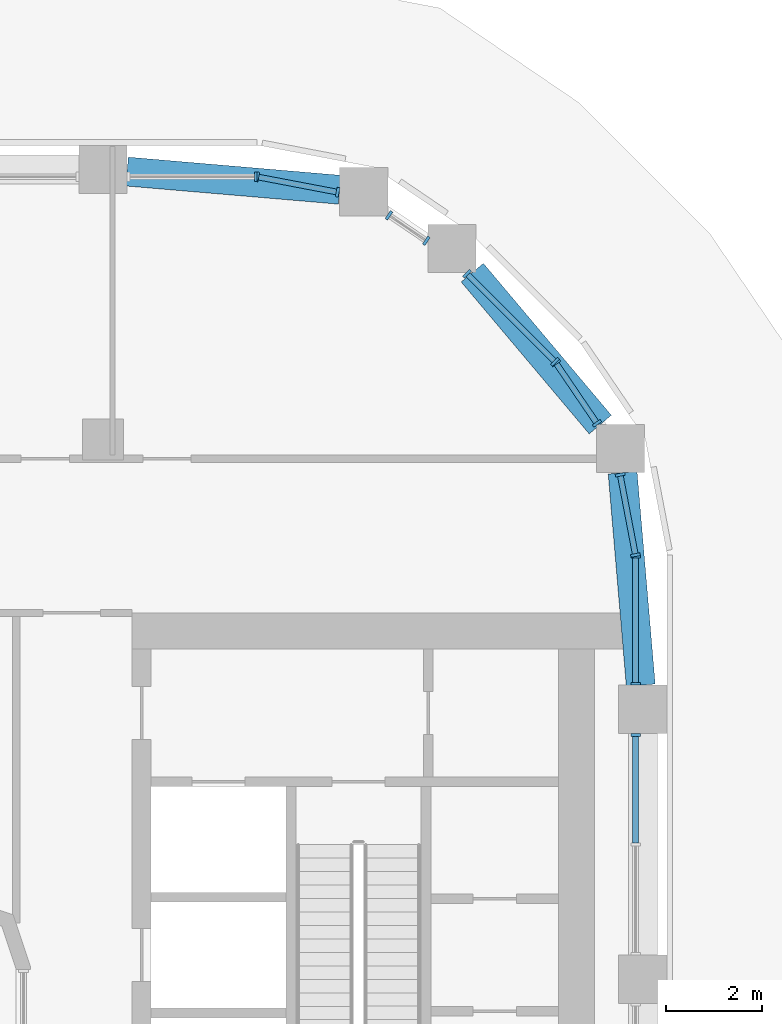
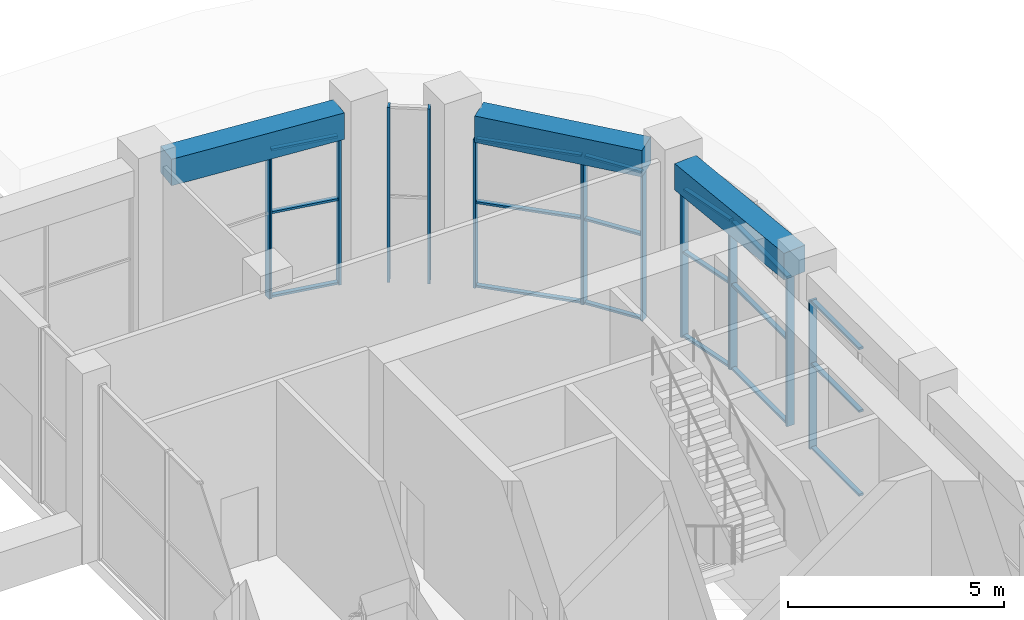
# One storey, part 10 of 28: 32 members, 3 beams, 8 elements without a shape of their own.
"""IFC4 building model written with IfcOpenShell, lengths in metres."""

from ifc_helpers import new_model, si_unit, direction, frame, origin, origin_2d, place, context, subcontext, project, spatial, rectangle, extrude, material, layer, layer_set, material_profile, profile_set, type_object, element, aggregate, save


model = new_model("IFC4")

# Units and contexts
model_context = context("Model", 3, precision=1e-05, world=origin(), true_north=direction((0.0, 1.0)))
body_context = subcontext(model_context, "Body", "Model", "MODEL_VIEW")
ifc_project = project(units=[si_unit("LENGTHUNIT", "METRE"), si_unit("AREAUNIT", "SQUARE_METRE"), si_unit("VOLUMEUNIT", "CUBIC_METRE"), si_unit("PLANEANGLEUNIT", "RADIAN"), si_unit("MASSUNIT", "GRAM", prefix="KILO")], contexts=[model_context])

# Site, building, storey
site_placement = place(None, origin())
site = spatial("IfcSite", under=ifc_project, at=site_placement, CompositionType="ELEMENT")
building_placement = place(site_placement, origin())
building = spatial("IfcBuilding", under=site, at=building_placement, Name="Kiln Ring Residences", CompositionType="ELEMENT")
storey_placement = place(building_placement, frame((0.0, 0.0, 178.10009765625)))
storey = spatial("IfcBuildingStorey", under=building, at=storey_placement, Name="L46", CompositionType="ELEMENT", Elevation=178.10009765625)

# Curtain wall, member
ifc_material_1 = material(Name="Aluminium and glass", Category="aluminium")
ifc_layer = layer(ifc_material_1, 0.199951171875)
ifc_layer_set = layer_set([ifc_layer], Name="CW1 CURTAIN WALL")
curtain_wall_type = type_object("IfcCurtainWallType", Name="CW1 CURTAIN WALL", PredefinedType="NOTDEFINED", material=ifc_layer_set)
placement = place(storey_placement, origin())
curtain_wall_1 = element("IfcCurtainWall", 1, at=placement, inside=storey, type_object=curtain_wall_type, Name="Curtain wall CW1 L46", PredefinedType="NOTDEFINED")
ifc_material_2 = material(Name="Aluminium 6063-T6", Category="aluminium")
ifc_material_profile_1 = material_profile(ifc_material_2, rectangle(XDim=0.199951171875, YDim=0.06005859375, at=origin_2d()), Name="AL 200x60")
ifc_profile_set_1 = profile_set([ifc_material_profile_1], Name="Aluminium 6063-T6")
member_type_1 = type_object("IfcMemberType", Name="CW1 MULLION 200 x 60", PredefinedType="MULLION", material=ifc_profile_set_1)
member_1_placement = place(storey_placement, frame((27.85009765625, 10.669921875, 0.0), z_axis=(0.0, 0.0, 1.0), x_axis=(-1.0, 0.0, 0.0)))
member_1 = element("IfcMember", 2, at=member_1_placement, type_object=member_type_1, Name="CW1 mullion 3", PredefinedType="MULLION", context=body_context, shape_type="SweptSolid", body=[
    extrude(rectangle(XDim=0.199951171875, YDim=0.06005859375, at=origin_2d()), origin(), (0.0, 0.0, 1.0), 4.199951171875),
])

# Curtain wall, members
curtain_wall_2 = element("IfcCurtainWall", 3, at=placement, inside=storey, type_object=curtain_wall_type, Name="Curtain wall CW1 L46", PredefinedType="NOTDEFINED")
member_2_placement = place(storey_placement, frame((27.85009765625, 11.72998046875, 0.0), z_axis=(0.0, 0.0, 1.0), x_axis=(-1.0, 0.0, 0.0)))
member_2 = element("IfcMember", 4, at=member_2_placement, type_object=member_type_1, Name="CW1 mullion 1", PredefinedType="MULLION", context=body_context, shape_type="SweptSolid", body=[
    extrude(rectangle(XDim=0.199951171875, YDim=0.06005859375, at=origin_2d()), origin(), (0.0, 0.0, 1.0), 4.199951171875),
])
member_3_placement = place(storey_placement, frame((27.85009765625, 14.3701171875, 0.0), z_axis=(0.0, 0.0, 1.0), x_axis=(-1.0, 0.0, 0.0)))
member_3 = element("IfcMember", 5, at=member_3_placement, type_object=member_type_1, Name="CW1 mullion 2", PredefinedType="MULLION", context=body_context, shape_type="SweptSolid", body=[
    extrude(rectangle(XDim=0.199951171875, YDim=0.06005859375, at=origin_2d()), origin(), (0.0, 0.0, 1.0), 4.199951171875),
])

curtain_wall_3 = element("IfcCurtainWall", 6, at=placement, inside=storey, type_object=curtain_wall_type, Name="Curtain wall CW1 L46", PredefinedType="NOTDEFINED")
member_4_placement = place(storey_placement, frame((27.846923828125, 14.4013671875, 0.0), z_axis=(0.0, 0.0, 1.0), x_axis=(-0.98229025781, -0.187365550227, 0.0)))
member_4 = element("IfcMember", 7, at=member_4_placement, type_object=member_type_1, Name="CW1 mullion 1", PredefinedType="MULLION", context=body_context, shape_type="SweptSolid", body=[
    extrude(rectangle(XDim=0.199951171875, YDim=0.06005859375, at=origin_2d()), origin(), (0.0, 0.0, 1.0), 4.199951171875),
])
member_5_placement = place(storey_placement, frame((27.529296875, 16.0673828125, 0.0), z_axis=(0.0, 0.0, 1.0), x_axis=(-0.98229025781, -0.187365550227, 0.0)))
member_5 = element("IfcMember", 8, at=member_5_placement, type_object=member_type_1, Name="CW1 mullion 2", PredefinedType="MULLION", context=body_context, shape_type="SweptSolid", body=[
    extrude(rectangle(XDim=0.199951171875, YDim=0.06005859375, at=origin_2d()), origin(), (0.0, 0.0, 1.0), 4.199951171875),
])

curtain_wall_4 = element("IfcCurtainWall", 9, at=placement, inside=storey, type_object=curtain_wall_type, Name="Curtain wall CW1 L46", PredefinedType="NOTDEFINED")
member_6_placement = place(storey_placement, frame((27.04833984375, 17.133544921875, 0.0), z_axis=(0.0, 0.0, 1.0), x_axis=(-0.827071553399, -0.562096651438, 0.0)))
member_6 = element("IfcMember", 10, at=member_6_placement, type_object=member_type_1, Name="CW1 mullion 1", PredefinedType="MULLION", context=body_context, shape_type="SweptSolid", body=[
    extrude(rectangle(XDim=0.199951171875, YDim=0.06005859375, at=origin_2d()), origin(), (0.0, 0.0, 1.0), 4.199951171875),
])
member_7_placement = place(storey_placement, frame((26.19580078125, 18.387939453125, 0.0), z_axis=(0.0, 0.0, 1.0), x_axis=(-0.827071553399, -0.562096651438, 0.0)))
member_7 = element("IfcMember", 11, at=member_7_placement, type_object=member_type_1, Name="CW1 mullion 2", PredefinedType="MULLION", context=body_context, shape_type="SweptSolid", body=[
    extrude(rectangle(XDim=0.199951171875, YDim=0.06005859375, at=origin_2d()), origin(), (0.0, 0.0, 1.0), 4.199951171875),
])

curtain_wall_5 = element("IfcCurtainWall", 12, at=placement, inside=storey, type_object=curtain_wall_type, Name="Curtain wall CW1 L46", PredefinedType="NOTDEFINED")
member_8_placement = place(storey_placement, frame((26.17578125, 18.412109375, 0.0), z_axis=(0.0, 0.0, 1.0), x_axis=(-0.707106781187, -0.707106781187, 0.0)))
member_8 = element("IfcMember", 13, at=member_8_placement, type_object=member_type_1, Name="CW1 mullion 1", PredefinedType="MULLION", context=body_context, shape_type="SweptSolid", body=[
    extrude(rectangle(XDim=0.199951171875, YDim=0.06005859375, at=origin_2d()), origin(), (0.0, 0.0, 1.0), 4.199951171875),
])
member_9_placement = place(storey_placement, frame((24.349365234375, 20.238525390625, 0.0), z_axis=(0.0, 0.0, 1.0), x_axis=(-0.707106781187, -0.707106781187, 0.0)))
member_9 = element("IfcMember", 14, at=member_9_placement, type_object=member_type_1, Name="CW1 mullion 2", PredefinedType="MULLION", context=body_context, shape_type="SweptSolid", body=[
    extrude(rectangle(XDim=0.199951171875, YDim=0.06005859375, at=origin_2d()), origin(), (0.0, 0.0, 1.0), 4.199951171875),
])

curtain_wall_6 = element("IfcCurtainWall", 15, at=placement, inside=storey, type_object=curtain_wall_type, Name="Curtain wall CW1 L46", PredefinedType="NOTDEFINED")
member_10_placement = place(storey_placement, frame((23.509033203125, 20.921142578125, 0.0), z_axis=(0.0, 0.0, 1.0), x_axis=(-0.562096651423, -0.827071553409, 0.0)))
member_10 = element("IfcMember", 16, at=member_10_placement, type_object=member_type_1, Name="CW1 mullion 1", PredefinedType="MULLION", context=body_context, shape_type="SweptSolid", body=[
    extrude(rectangle(XDim=0.199951171875, YDim=0.06005859375, at=origin_2d()), origin(), (0.0, 0.0, 1.0), 4.949951171875),
])
member_11_placement = place(storey_placement, frame((22.7333984375, 21.4482421875, 0.0), z_axis=(0.0, 0.0, 1.0), x_axis=(-0.562096651423, -0.827071553409, 0.0)))
member_11 = element("IfcMember", 17, at=member_11_placement, type_object=member_type_1, Name="CW1 mullion 2", PredefinedType="MULLION", context=body_context, shape_type="SweptSolid", body=[
    extrude(rectangle(XDim=0.199951171875, YDim=0.06005859375, at=origin_2d()), origin(), (0.0, 0.0, 1.0), 4.949951171875),
])
aggregate(curtain_wall_6, [member_10, member_11])

curtain_wall_7 = element("IfcCurtainWall", 18, at=placement, inside=storey, type_object=curtain_wall_type, Name="Curtain wall CW1 L46", PredefinedType="NOTDEFINED")
member_12_placement = place(storey_placement, frame((21.66748046875, 21.92919921875, 0.0), z_axis=(0.0, 0.0, 1.0), x_axis=(-0.187365550227, -0.98229025781, 0.0)))
member_12 = element("IfcMember", 19, at=member_12_placement, type_object=member_type_1, Name="CW1 mullion 1", PredefinedType="MULLION", context=body_context, shape_type="SweptSolid", body=[
    extrude(rectangle(XDim=0.199951171875, YDim=0.06005859375, at=origin_2d()), origin(), (0.0, 0.0, 1.0), 4.199951171875),
])
member_13_placement = place(storey_placement, frame((20.00146484375, 22.2470703125, 0.0), z_axis=(0.0, 0.0, 1.0), x_axis=(-0.187365550227, -0.98229025781, 0.0)))
member_13 = element("IfcMember", 20, at=member_13_placement, type_object=member_type_1, Name="CW1 mullion 2", PredefinedType="MULLION", context=body_context, shape_type="SweptSolid", body=[
    extrude(rectangle(XDim=0.199951171875, YDim=0.06005859375, at=origin_2d()), origin(), (0.0, 0.0, 1.0), 4.199951171875),
])

# Curtain wall, member
curtain_wall_8 = element("IfcCurtainWall", 21, at=placement, inside=storey, type_object=curtain_wall_type, Name="Curtain wall CW1 L46", PredefinedType="NOTDEFINED")
member_14_placement = place(storey_placement, frame((19.969970703125, 22.25, 0.0), z_axis=(0.0, 0.0, 1.0), x_axis=(0.0, -1.0, 0.0)))
member_14 = element("IfcMember", 22, at=member_14_placement, type_object=member_type_1, Name="CW1 mullion 1", PredefinedType="MULLION", context=body_context, shape_type="SweptSolid", body=[
    extrude(rectangle(XDim=0.199951171875, YDim=0.06005859375, at=origin_2d()), origin(), (0.0, 0.0, 1.0), 4.199951171875),
])
aggregate(curtain_wall_8, [member_14])

# Member
ifc_material_3 = material(Name="Aluminium 6063-T6", Category="aluminium")
ifc_material_profile_2 = material_profile(ifc_material_3, rectangle(XDim=0.1201171875, YDim=0.06005859375, at=origin_2d()), Name="AL 120x60")
ifc_profile_set_2 = profile_set([ifc_material_profile_2], Name="Aluminium 6063-T6")
member_type_2 = type_object("IfcMemberType", Name="CW1 TRANSOM 120 x 60", PredefinedType="USERDEFINED", material=ifc_profile_set_2)
member_15_placement = place(storey_placement, frame((27.85009765625, 8.429931640625, 0.02978515625), z_axis=(0.0, 1.0, 0.0), x_axis=(-1.0, 0.0, 0.0)))
member_15 = element("IfcMember", 23, at=member_15_placement, type_object=member_type_2, Name="CW1 transom 2.1", ObjectType="TRANSOM", PredefinedType="USERDEFINED", context=body_context, shape_type="SweptSolid", body=[
    extrude(rectangle(XDim=0.1201171875, YDim=0.06005859375, at=origin_2d()), origin(), (0.0, 0.0, 1.0), 2.2099609375),
])

member_16_placement = place(storey_placement, frame((27.85009765625, 8.429931640625, 2.39990234375), z_axis=(0.0, 1.0, 0.0), x_axis=(-1.0, 0.0, 0.0)))
member_16 = element("IfcMember", 24, at=member_16_placement, type_object=member_type_2, Name="CW1 transom 2.2", ObjectType="TRANSOM", PredefinedType="USERDEFINED", context=body_context, shape_type="SweptSolid", body=[
    extrude(rectangle(XDim=0.1201171875, YDim=0.06005859375, at=origin_2d()), origin(), (0.0, 0.0, 1.0), 2.2099609375),
])

member_17_placement = place(storey_placement, frame((27.85009765625, 8.429931640625, 4.169921875), z_axis=(0.0, 1.0, 0.0), x_axis=(-1.0, 0.0, 0.0)))
member_17 = element("IfcMember", 25, at=member_17_placement, type_object=member_type_2, Name="CW1 transom 2.3", ObjectType="TRANSOM", PredefinedType="USERDEFINED", context=body_context, shape_type="SweptSolid", body=[
    extrude(rectangle(XDim=0.1201171875, YDim=0.06005859375, at=origin_2d()), origin(), (0.0, 0.0, 1.0), 2.2099609375),
])

aggregate(curtain_wall_1, [member_1, member_15, member_16, member_17])

member_18_placement = place(storey_placement, frame((27.85009765625, 11.760009765625, 0.02978515625), z_axis=(0.0, 1.0, 0.0), x_axis=(-1.0, 0.0, 0.0)))
member_18 = element("IfcMember", 26, at=member_18_placement, type_object=member_type_2, Name="CW1 transom 1.1", ObjectType="TRANSOM", PredefinedType="USERDEFINED", context=body_context, shape_type="SweptSolid", body=[
    extrude(rectangle(XDim=0.1201171875, YDim=0.06005859375, at=origin_2d()), origin(), (0.0, 0.0, 1.0), 2.580078125),
])

member_19_placement = place(storey_placement, frame((27.85009765625, 11.760009765625, 2.39990234375), z_axis=(0.0, 1.0, 0.0), x_axis=(-1.0, 0.0, 0.0)))
member_19 = element("IfcMember", 27, at=member_19_placement, type_object=member_type_2, Name="CW1 transom 1.2", ObjectType="TRANSOM", PredefinedType="USERDEFINED", context=body_context, shape_type="SweptSolid", body=[
    extrude(rectangle(XDim=0.1201171875, YDim=0.06005859375, at=origin_2d()), origin(), (0.0, 0.0, 1.0), 2.580078125),
])

member_20_placement = place(storey_placement, frame((27.85009765625, 11.760009765625, 4.169921875), z_axis=(0.0, 1.0, 0.0), x_axis=(-1.0, 0.0, 0.0)))
member_20 = element("IfcMember", 28, at=member_20_placement, type_object=member_type_2, Name="CW1 transom 1.3", ObjectType="TRANSOM", PredefinedType="USERDEFINED", context=body_context, shape_type="SweptSolid", body=[
    extrude(rectangle(XDim=0.1201171875, YDim=0.06005859375, at=origin_2d()), origin(), (0.0, 0.0, 1.0), 2.580078125),
])

aggregate(curtain_wall_2, [member_2, member_3, member_18, member_19, member_20])

member_21_placement = place(storey_placement, frame((27.84130859375, 14.430908203125, 0.02978515625), z_axis=(-0.187269813936, 0.982308514057, 0.0), x_axis=(-0.982308514057, -0.187269813936, 0.0)))
member_21 = element("IfcMember", 29, at=member_21_placement, type_object=member_type_2, Name="CW1 transom 1.1", ObjectType="TRANSOM", PredefinedType="USERDEFINED", context=body_context, shape_type="SweptSolid", body=[
    extrude(rectangle(XDim=0.1201171875, YDim=0.06005859375, at=origin_2d()), origin(), (0.0, 0.0, 1.0), 1.63623046875),
])

member_22_placement = place(storey_placement, frame((27.84130859375, 14.430908203125, 2.39990234375), z_axis=(-0.187269813936, 0.982308514057, 0.0), x_axis=(-0.982308514057, -0.187269813936, 0.0)))
member_22 = element("IfcMember", 30, at=member_22_placement, type_object=member_type_2, Name="CW1 transom 1.2", ObjectType="TRANSOM", PredefinedType="USERDEFINED", context=body_context, shape_type="SweptSolid", body=[
    extrude(rectangle(XDim=0.1201171875, YDim=0.06005859375, at=origin_2d()), origin(), (0.0, 0.0, 1.0), 1.63623046875),
])

member_23_placement = place(storey_placement, frame((27.84130859375, 14.430908203125, 4.169921875), z_axis=(-0.187269813936, 0.982308514057, 0.0), x_axis=(-0.982308514057, -0.187269813936, 0.0)))
member_23 = element("IfcMember", 31, at=member_23_placement, type_object=member_type_2, Name="CW1 transom 1.3", ObjectType="TRANSOM", PredefinedType="USERDEFINED", context=body_context, shape_type="SweptSolid", body=[
    extrude(rectangle(XDim=0.1201171875, YDim=0.06005859375, at=origin_2d()), origin(), (0.0, 0.0, 1.0), 1.63623046875),
])

aggregate(curtain_wall_3, [member_4, member_5, member_21, member_22, member_23])

member_24_placement = place(storey_placement, frame((27.031494140625, 17.158203125, 0.02978515625), z_axis=(-0.562103722673, 0.827066747583, 0.0), x_axis=(-0.827066747583, -0.562103722673, 0.0)))
member_24 = element("IfcMember", 32, at=member_24_placement, type_object=member_type_2, Name="CW1 transom 1.1", ObjectType="TRANSOM", PredefinedType="USERDEFINED", context=body_context, shape_type="SweptSolid", body=[
    extrude(rectangle(XDim=0.1201171875, YDim=0.06005859375, at=origin_2d()), origin(), (0.0, 0.0, 1.0), 1.456787109375),
])

member_25_placement = place(storey_placement, frame((27.031494140625, 17.158203125, 2.39990234375), z_axis=(-0.562103722673, 0.827066747583, 0.0), x_axis=(-0.827066747583, -0.562103722673, 0.0)))
member_25 = element("IfcMember", 33, at=member_25_placement, type_object=member_type_2, Name="CW1 transom 1.2", ObjectType="TRANSOM", PredefinedType="USERDEFINED", context=body_context, shape_type="SweptSolid", body=[
    extrude(rectangle(XDim=0.1201171875, YDim=0.06005859375, at=origin_2d()), origin(), (0.0, 0.0, 1.0), 1.456787109375),
])

member_26_placement = place(storey_placement, frame((27.031494140625, 17.158203125, 4.169921875), z_axis=(-0.562103722673, 0.827066747583, 0.0), x_axis=(-0.827066747583, -0.562103722673, 0.0)))
member_26 = element("IfcMember", 34, at=member_26_placement, type_object=member_type_2, Name="CW1 transom 1.3", ObjectType="TRANSOM", PredefinedType="USERDEFINED", context=body_context, shape_type="SweptSolid", body=[
    extrude(rectangle(XDim=0.1201171875, YDim=0.06005859375, at=origin_2d()), origin(), (0.0, 0.0, 1.0), 1.456787109375),
])

aggregate(curtain_wall_4, [member_6, member_7, member_24, member_25, member_26])

member_27_placement = place(storey_placement, frame((26.154541015625, 18.433349609375, 0.02978515625), z_axis=(-0.707106781187, 0.707106781187, 0.0), x_axis=(-0.707106781187, -0.707106781187, 0.0)))
member_27 = element("IfcMember", 35, at=member_27_placement, type_object=member_type_2, Name="CW1 transom 1.1", ObjectType="TRANSOM", PredefinedType="USERDEFINED", context=body_context, shape_type="SweptSolid", body=[
    extrude(rectangle(XDim=0.1201171875, YDim=0.06005859375, at=origin_2d()), origin(), (0.0, 0.0, 1.0), 2.52294921875),
])

member_28_placement = place(storey_placement, frame((26.154541015625, 18.433349609375, 2.39990234375), z_axis=(-0.707106781187, 0.707106781187, 0.0), x_axis=(-0.707106781187, -0.707106781187, 0.0)))
member_28 = element("IfcMember", 36, at=member_28_placement, type_object=member_type_2, Name="CW1 transom 1.2", ObjectType="TRANSOM", PredefinedType="USERDEFINED", context=body_context, shape_type="SweptSolid", body=[
    extrude(rectangle(XDim=0.1201171875, YDim=0.06005859375, at=origin_2d()), origin(), (0.0, 0.0, 1.0), 2.52294921875),
])

member_29_placement = place(storey_placement, frame((26.154541015625, 18.433349609375, 4.169921875), z_axis=(-0.707106781187, 0.707106781187, 0.0), x_axis=(-0.707106781187, -0.707106781187, 0.0)))
member_29 = element("IfcMember", 37, at=member_29_placement, type_object=member_type_2, Name="CW1 transom 1.3", ObjectType="TRANSOM", PredefinedType="USERDEFINED", context=body_context, shape_type="SweptSolid", body=[
    extrude(rectangle(XDim=0.1201171875, YDim=0.06005859375, at=origin_2d()), origin(), (0.0, 0.0, 1.0), 2.52294921875),
])

aggregate(curtain_wall_5, [member_8, member_9, member_27, member_28, member_29])

member_30_placement = place(storey_placement, frame((21.637939453125, 21.934814453125, 0.02978515625), z_axis=(-0.982281054437, 0.187413793768, 0.0), x_axis=(-0.187413793768, -0.982281054437, 0.0)))
member_30 = element("IfcMember", 38, at=member_30_placement, type_object=member_type_2, Name="CW1 transom 1.1", ObjectType="TRANSOM", PredefinedType="USERDEFINED", context=body_context, shape_type="SweptSolid", body=[
    extrude(rectangle(XDim=0.1201171875, YDim=0.06005859375, at=origin_2d()), origin(), (0.0, 0.0, 1.0), 1.63623046875),
])

member_31_placement = place(storey_placement, frame((21.637939453125, 21.934814453125, 2.39990234375), z_axis=(-0.982281054437, 0.187413793768, 0.0), x_axis=(-0.187413793768, -0.982281054437, 0.0)))
member_31 = element("IfcMember", 39, at=member_31_placement, type_object=member_type_2, Name="CW1 transom 1.2", ObjectType="TRANSOM", PredefinedType="USERDEFINED", context=body_context, shape_type="SweptSolid", body=[
    extrude(rectangle(XDim=0.1201171875, YDim=0.06005859375, at=origin_2d()), origin(), (0.0, 0.0, 1.0), 1.63623046875),
])

member_32_placement = place(storey_placement, frame((21.637939453125, 21.934814453125, 4.169921875), z_axis=(-0.982281054437, 0.187413793768, 0.0), x_axis=(-0.187413793768, -0.982281054437, 0.0)))
member_32 = element("IfcMember", 40, at=member_32_placement, type_object=member_type_2, Name="CW1 transom 1.3", ObjectType="TRANSOM", PredefinedType="USERDEFINED", context=body_context, shape_type="SweptSolid", body=[
    extrude(rectangle(XDim=0.1201171875, YDim=0.06005859375, at=origin_2d()), origin(), (0.0, 0.0, 1.0), 1.63623046875),
])

aggregate(curtain_wall_7, [member_12, member_13, member_30, member_31, member_32])

# Beams
ifc_material_4 = material(Name="Concrete C50/60", Category="concrete")
ifc_material_profile_3 = material_profile(ifc_material_4, rectangle(XDim=0.60009765625, YDim=0.75, at=origin_2d()), Name="RC600x750")
ifc_profile_set_3 = profile_set([ifc_material_profile_3], Name="Concrete C50/60")
beam_type = type_object("IfcBeamType", Name="Spandrel beam RC600x750 C50/60", PredefinedType="SPANDREL", material=ifc_profile_set_3)
beam_1_placement = place(storey_placement, frame((27.957275390625, 11.699951171875, 4.574951171875), z_axis=(-0.085081883384, 0.996373962486, 0.0), x_axis=(-0.996373962486, -0.085081883384, 0.0)))
element("IfcBeam", 41, at=beam_1_placement, inside=storey, type_object=beam_type, Name="Spandrel beam L46 11", PredefinedType="SPANDREL", context=body_context, shape_type="SweptSolid", body=[
    extrude(rectangle(XDim=0.60009765625, YDim=0.75, at=origin_2d()), origin(), (0.0, 0.0, 1.0), 4.4248046875),
])
beam_2_placement = place(storey_placement, frame((27.11669921875, 17.108642578125, 4.574951171875), z_axis=(-0.644376545136, 0.764708354916, 0.0), x_axis=(-0.764708354916, -0.644376545136, 0.0)))
element("IfcBeam", 42, at=beam_2_placement, inside=storey, type_object=beam_type, Name="Spandrel beam L46 12", PredefinedType="SPANDREL", context=body_context, shape_type="SweptSolid", body=[
    extrude(rectangle(XDim=0.60009765625, YDim=0.75, at=origin_2d()), origin(), (0.0, 0.0, 1.0), 4.12060546875),
])
beam_3_placement = place(storey_placement, frame((21.708740234375, 21.980712890625, 4.574951171875), z_axis=(-0.996369283519, 0.0851366599, 0.0), x_axis=(-0.0851366599, -0.996369283519, 0.0)))
element("IfcBeam", 43, at=beam_3_placement, inside=storey, type_object=beam_type, Name="Spandrel beam L46 13", PredefinedType="SPANDREL", context=body_context, shape_type="SweptSolid", body=[
    extrude(rectangle(XDim=0.60009765625, YDim=0.75, at=origin_2d()), origin(), (0.0, 0.0, 1.0), 4.4248046875),
])

save(model, "model.ifc")
